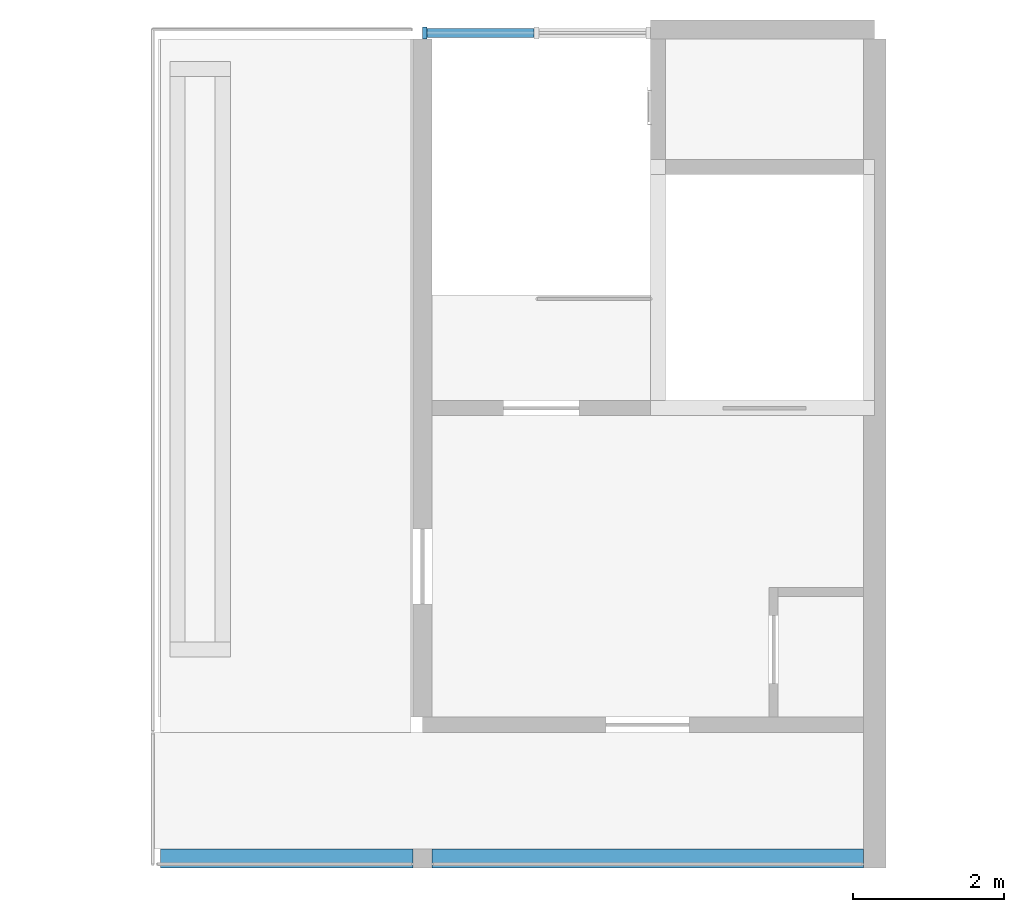
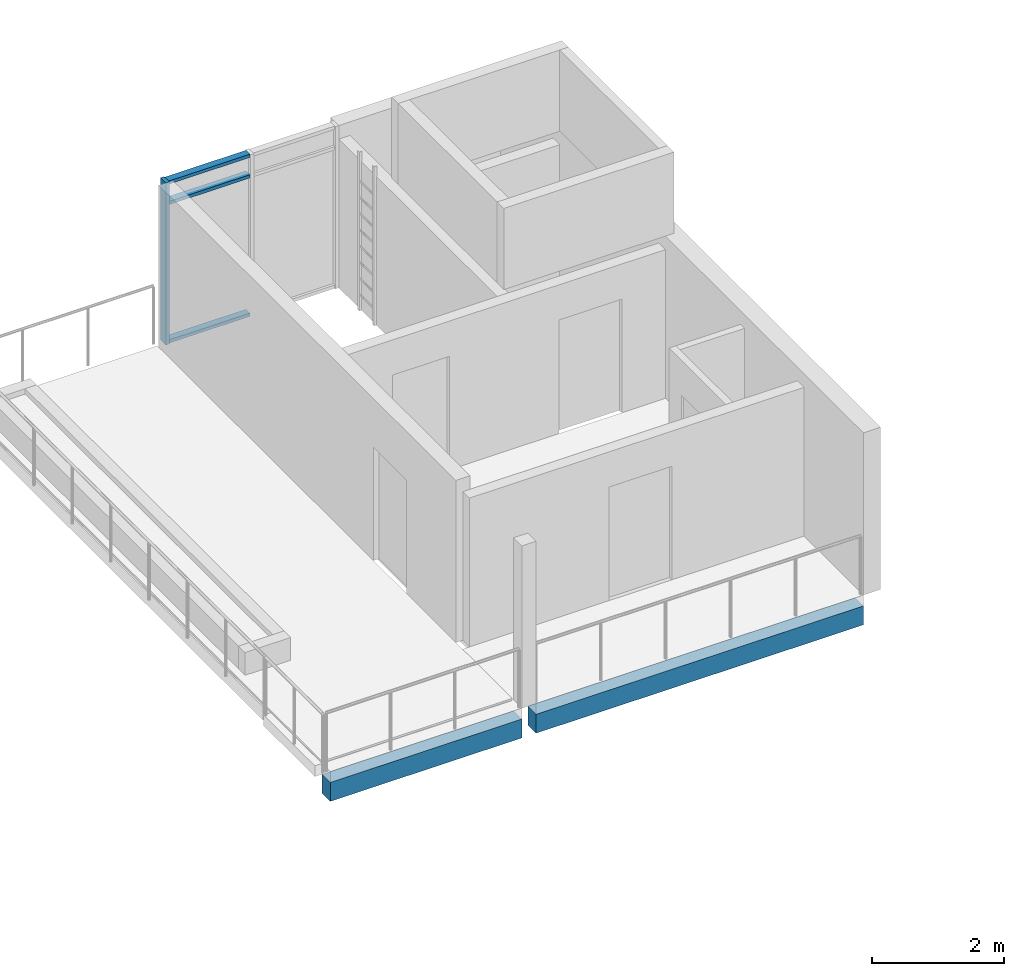
# One storey, part 3 of 15: 4 members, 2 beams, 1 element without a shape of its own.
"""IFC4 building model written with IfcOpenShell, lengths in metres."""

from ifc_helpers import new_model, si_unit, direction, frame, origin, origin_2d, place, context, subcontext, project, spatial, rectangle, extrude, material, material_profile, profile_set, type_object, element, aggregate, save


model = new_model("IFC4")

# Units and contexts
model_context = context("Model", 3, precision=1e-05, world=origin(), true_north=direction((0.0, 1.0)))
body_context = subcontext(model_context, "Body", "Model", "MODEL_VIEW")
ifc_project = project(units=[si_unit("LENGTHUNIT", "METRE"), si_unit("AREAUNIT", "SQUARE_METRE"), si_unit("VOLUMEUNIT", "CUBIC_METRE"), si_unit("PLANEANGLEUNIT", "RADIAN"), si_unit("MASSUNIT", "GRAM", prefix="KILO")], contexts=[model_context])

# Site, building, storey
site_placement = place(None, origin())
site = spatial("IfcSite", under=ifc_project, at=site_placement, CompositionType="ELEMENT")
building_placement = place(site_placement, origin())
building = spatial("IfcBuilding", under=site, at=building_placement, Name="Ridgestep Commons", CompositionType="ELEMENT")
storey_placement = place(building_placement, frame((0.0, 0.0, 45.0)))
storey = spatial("IfcBuildingStorey", under=building, at=storey_placement, Name="L15", CompositionType="ELEMENT", Elevation=45.0)

# Beams
ifc_material_1 = material(Name="Precast concrete C40/50", Category="concrete")
ifc_material_profile_1 = material_profile(ifc_material_1, rectangle(XDim=0.25, YDim=0.35009765625, at=origin_2d()), Name="PC 250x350")
ifc_profile_set_1 = profile_set([ifc_material_profile_1], Name="Precast concrete C40/50")
beam_type = type_object("IfcBeamType", Name="Loggia edge beam 250 x 350", PredefinedType="SPANDREL", material=ifc_profile_set_1)
beam_1_placement = place(storey_placement, frame((86.52490234375, 11.875, -0.375), z_axis=(1.0, 0.0, 0.0), x_axis=(0.0, 1.0, 0.0)))
element("IfcBeam", 1, at=beam_1_placement, inside=storey, type_object=beam_type, Name="Loggia edge beam A5T3 L15", PredefinedType="SPANDREL", context=body_context, shape_type="SweptSolid", body=[
    extrude(rectangle(XDim=0.25, YDim=0.35009765625, at=origin_2d()), origin(), (0.0, 0.0, 1.0), 3.35009765625),
])
beam_2_placement = place(storey_placement, frame((90.125, 11.875, -0.375), z_axis=(1.0, 0.0, 0.0), x_axis=(0.0, 1.0, 0.0)))
element("IfcBeam", 2, at=beam_2_placement, inside=storey, type_object=beam_type, Name="Loggia edge beam A5C L15", PredefinedType="SPANDREL", context=body_context, shape_type="SweptSolid", body=[
    extrude(rectangle(XDim=0.25, YDim=0.35009765625, at=origin_2d()), origin(), (0.0, 0.0, 1.0), 5.72509765625),
])

# Curtain wall, members
ifc_material_2 = material(Name="Aluminium 6063-T6 and glass", Category="aluminium")
curtain_wall_type = type_object("IfcCurtainWallType", Name="Curtain wall stair strip", PredefinedType="NOTDEFINED", material=ifc_material_2)
curtain_wall_placement = place(storey_placement, origin())
curtain_wall = element("IfcCurtainWall", 3, at=curtain_wall_placement, inside=storey, type_object=curtain_wall_type, Name="Curtain wall A5C level 15", PredefinedType="NOTDEFINED")
ifc_material_3 = material(Name="Aluminium 6063-T6", Category="aluminium")
ifc_material_profile_2 = material_profile(ifc_material_3, rectangle(XDim=0.159912109375, YDim=0.06005859375, at=origin_2d()), Name="Mullion 60 x 160")
ifc_profile_set_2 = profile_set([ifc_material_profile_2], Name="Aluminium 6063-T6")
member_type_1 = type_object("IfcMemberType", Name="Mullion 60 x 160", PredefinedType="MULLION", material=ifc_profile_set_2)
member_1_placement = place(storey_placement, frame((90.030029296875, 22.830078125, 0.0), z_axis=(0.0, 0.0, 1.0), x_axis=(0.0, 1.0, 0.0)))
member_1 = element("IfcMember", 4, at=member_1_placement, type_object=member_type_1, Name="CW1 mullion 1", PredefinedType="MULLION", context=body_context, shape_type="SweptSolid", body=[
    extrude(rectangle(XDim=0.159912109375, YDim=0.06005859375, at=origin_2d()), origin(), (0.0, 0.0, 1.0), 3.0),
])
ifc_material_4 = material(Name="Aluminium 6063-T6", Category="aluminium")
ifc_material_profile_3 = material_profile(ifc_material_4, rectangle(XDim=0.1201171875, YDim=0.06005859375, at=origin_2d()), Name="Transom 60 x 120")
ifc_profile_set_3 = profile_set([ifc_material_profile_3], Name="Aluminium 6063-T6")
member_type_2 = type_object("IfcMemberType", Name="Transom 60 x 120", PredefinedType="USERDEFINED", material=ifc_profile_set_3)
member_2_placement = place(storey_placement, frame((90.06005859375, 22.830078125, 0.030029296875), z_axis=(1.0, 0.0, 0.0), x_axis=(0.0, 1.0, 0.0)))
member_2 = element("IfcMember", 5, at=member_2_placement, type_object=member_type_2, Name="CW1 transom 1.1", ObjectType="TRANSOM", PredefinedType="USERDEFINED", context=body_context, shape_type="SweptSolid", body=[
    extrude(rectangle(XDim=0.1201171875, YDim=0.06005859375, at=origin_2d()), origin(), (0.0, 0.0, 1.0), 1.42236328125),
])
member_3_placement = place(storey_placement, frame((90.06005859375, 22.830078125, 2.590087890625), z_axis=(1.0, 0.0, 0.0), x_axis=(0.0, 1.0, 0.0)))
member_3 = element("IfcMember", 6, at=member_3_placement, type_object=member_type_2, Name="CW1 transom 1.2", ObjectType="TRANSOM", PredefinedType="USERDEFINED", context=body_context, shape_type="SweptSolid", body=[
    extrude(rectangle(XDim=0.1201171875, YDim=0.06005859375, at=origin_2d()), origin(), (0.0, 0.0, 1.0), 1.42236328125),
])
member_4_placement = place(storey_placement, frame((90.06005859375, 22.830078125, 2.969970703125), z_axis=(1.0, 0.0, 0.0), x_axis=(0.0, 1.0, 0.0)))
member_4 = element("IfcMember", 7, at=member_4_placement, type_object=member_type_2, Name="CW1 transom 1.3", ObjectType="TRANSOM", PredefinedType="USERDEFINED", context=body_context, shape_type="SweptSolid", body=[
    extrude(rectangle(XDim=0.1201171875, YDim=0.06005859375, at=origin_2d()), origin(), (0.0, 0.0, 1.0), 1.42236328125),
])
aggregate(curtain_wall, [member_1, member_2, member_3, member_4])

save(model, "model.ifc")
